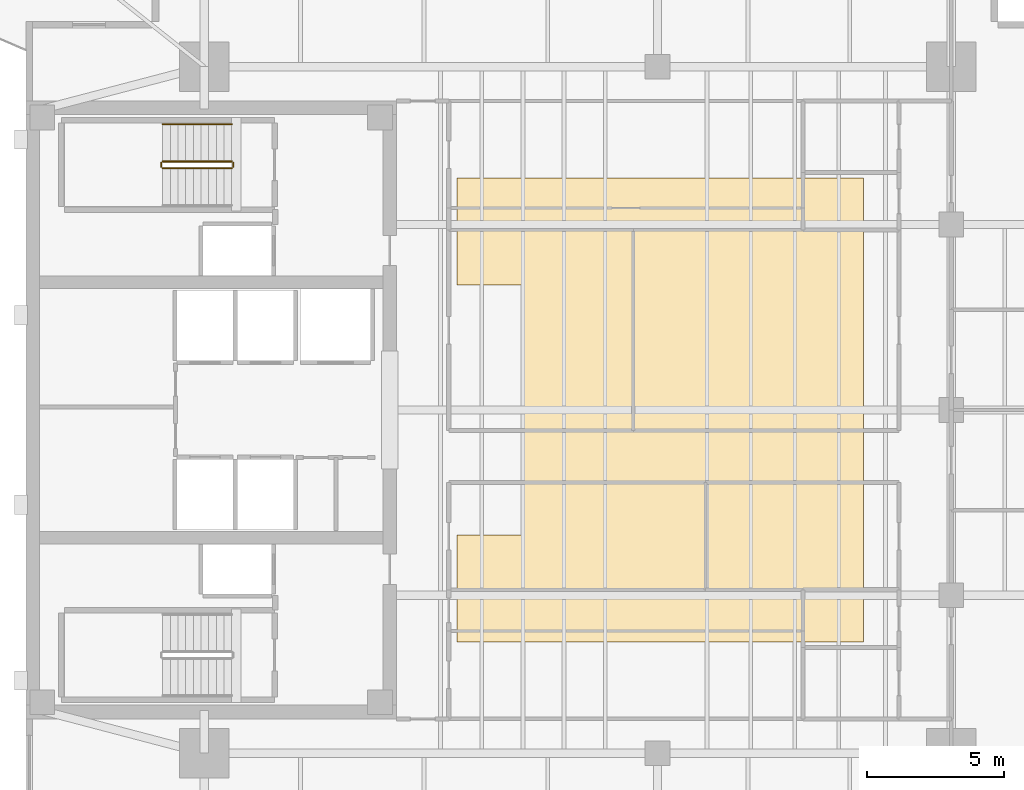
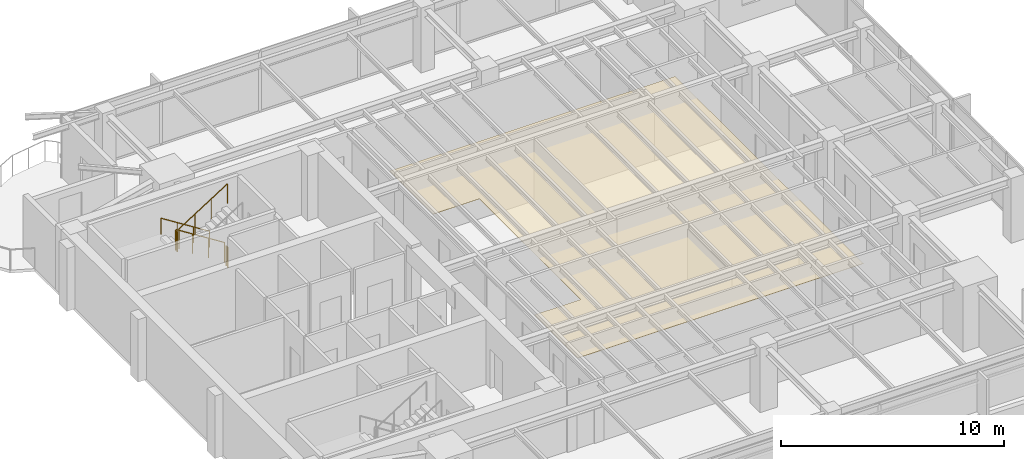
# One storey, part 13 of 14: 5 railings, 1 covering.
"""IFC4 building model written with IfcOpenShell, lengths in metres."""

from ifc_helpers import new_model, si_unit, direction, frame, origin, origin_2d, place, context, subcontext, project, spatial, polyline, circle, outline, extrude, material, layer, layer_set, type_object, element, save


model = new_model("IFC4")

# Units and contexts
model_context = context("Model", 3, precision=1e-05, world=origin(), true_north=direction((0.0, 1.0)))
body_context = subcontext(model_context, "Body", "Model", "MODEL_VIEW")
ifc_project = project(units=[si_unit("LENGTHUNIT", "METRE"), si_unit("AREAUNIT", "SQUARE_METRE"), si_unit("VOLUMEUNIT", "CUBIC_METRE"), si_unit("PLANEANGLEUNIT", "RADIAN"), si_unit("MASSUNIT", "GRAM", prefix="KILO")], contexts=[model_context])

# Site, building, storey
site_placement = place(None, origin())
site = spatial("IfcSite", under=ifc_project, at=site_placement, CompositionType="ELEMENT")
building_placement = place(site_placement, origin())
building = spatial("IfcBuilding", under=site, at=building_placement, Name="Kinhvarn Gate Tower", CompositionType="ELEMENT")
storey_placement = place(building_placement, frame((0.0, 0.0, 249.25)))
storey = spatial("IfcBuildingStorey", under=building, at=storey_placement, Name="L66", CompositionType="ELEMENT", Elevation=249.25)

# Covering
ifc_material_1 = material(Name="Mineral-fibre acoustic ceiling tile")
ifc_layer = layer(ifc_material_1, 0.02001953125)
ifc_layer_set = layer_set([ifc_layer], Name="Mineral-fibre acoustic ceiling tile")
covering_type = type_object("IfcCoveringType", Name="COV-CEIL-20", PredefinedType="CEILING", material=ifc_layer_set)
covering_placement = place(storey_placement, frame((0.0, 0.0, 2.64990234375)))
element("IfcCovering", 1, at=covering_placement, inside=storey, type_object=covering_type, Name="Suspended Acoustic Ceiling Tile (L66-1)", PredefinedType="CEILING", context=body_context, shape_type="SweptSolid", body=[
    extrude(outline(polyline([(35.0, 33.699951171875), (35.0, 16.800048828125), (20.199951171875, 16.800048828125), (20.199951171875, 20.699951171875), (22.60009765625, 20.699951171875), (22.60009765625, 29.800048828125), (20.199951171875, 29.800048828125), (20.199951171875, 33.699951171875), (35.0, 33.699951171875)])), origin(), (0.0, 0.0, 1.0), 0.02001953125),
])

# Railings
ifc_material_2 = material(Name="Steel S355", Category="steel")
railing_type_1 = type_object("IfcRailingType", Name="RL-ST-GRD", PredefinedType="BALUSTRADE", material=ifc_material_2)
railing_1_placement = place(storey_placement, frame((12.0, 34.300048828125, 0.177490234375)))
element("IfcRailing", 2, at=railing_1_placement, inside=storey, type_object=railing_type_1, Name="L66 ST2 stair guard 1", PredefinedType="BALUSTRADE", context=body_context, shape_type="SweptSolid", body=[
    extrude(circle(Radius=0.02392578125, at=origin_2d()), frame((0.0, 0.0, 1.076171875), z_axis=(-0.84460694969, 0.0, 0.535386869969), x_axis=(0.0, -1.0, 0.0)), (0.0, 0.0, 1.0), 2.983642578125),
    extrude(circle(Radius=0.02099609375, at=origin_2d()), origin(), (0.0, 0.0, 1.0), 1.052001953125),
    extrude(circle(Radius=0.02099609375, at=origin_2d()), frame((-0.840087890625, 0.0, 0.532470703125)), (0.0, 0.0, 1.0), 1.052001953125),
    extrude(circle(Radius=0.02099609375, at=origin_2d()), frame((-1.679931640625, 0.0, 1.06494140625)), (0.0, 0.0, 1.0), 1.052001953125),
    extrude(circle(Radius=0.02099609375, at=origin_2d()), frame((-2.52001953125, 0.0, 1.597412109375)), (0.0, 0.0, 1.0), 1.052001953125),
])
railing_2_placement = place(storey_placement, frame((9.429931640625, 34.25, 1.77490234375)))
element("IfcRailing", 3, at=railing_2_placement, inside=storey, type_object=railing_type_1, Name="L66 ST2 stair guard 2", PredefinedType="BALUSTRADE", context=body_context, shape_type="SweptSolid", body=[
    extrude(circle(Radius=0.02392578125, at=origin_2d()), frame((0.0, 0.0, 1.076171875), z_axis=(0.0, -1.0, 0.0), x_axis=(1.0, 0.0, 0.0)), (0.0, 0.0, 1.0), 0.14990234375),
    extrude(circle(Radius=0.02099609375, at=origin_2d()), origin(), (0.0, 0.0, 1.0), 1.052001953125),
    extrude(circle(Radius=0.02099609375, at=origin_2d()), frame((0.0, -0.14990234375, 0.0)), (0.0, 0.0, 1.0), 1.052001953125),
])
railing_3_placement = place(storey_placement, frame((9.47998046875, 34.050048828125, 1.952392578125)))
element("IfcRailing", 4, at=railing_3_placement, inside=storey, type_object=railing_type_1, Name="L66 ST2 stair guard 3", PredefinedType="BALUSTRADE", context=body_context, shape_type="SweptSolid", body=[
    extrude(circle(Radius=0.02392578125, at=origin_2d()), frame((0.0, 0.0, 1.076171875), z_axis=(0.84456994832, 0.0, 0.535445237532), x_axis=(0.0, 1.0, 0.0)), (0.0, 0.0, 1.0), 2.98388671875),
    extrude(circle(Radius=0.02099609375, at=origin_2d()), origin(), (0.0, 0.0, 1.0), 1.052001953125),
    extrude(circle(Radius=0.02099609375, at=origin_2d()), frame((0.840087890625, 0.0, 0.532470703125)), (0.0, 0.0, 1.0), 1.052001953125),
    extrude(circle(Radius=0.02099609375, at=origin_2d()), frame((1.679931640625, 0.0, 1.065185546875)), (0.0, 0.0, 1.0), 1.052001953125),
    extrude(circle(Radius=0.02099609375, at=origin_2d()), frame((2.52001953125, 0.0, 1.59765625)), (0.0, 0.0, 1.0), 1.052001953125),
])
railing_4_placement = place(storey_placement, frame((12.050048828125, 34.25, 0.0)))
element("IfcRailing", 5, at=railing_4_placement, inside=storey, type_object=railing_type_1, Name="L66 ST2 stair guard 4", PredefinedType="BALUSTRADE", context=body_context, shape_type="SweptSolid", body=[
    extrude(circle(Radius=0.02392578125, at=origin_2d()), frame((0.0, 0.0, 1.076171875), z_axis=(0.0, -1.0, 0.0), x_axis=(1.0, 0.0, 0.0)), (0.0, 0.0, 1.0), 0.14990234375),
    extrude(circle(Radius=0.02099609375, at=origin_2d()), origin(), (0.0, 0.0, 1.0), 1.052001953125),
    extrude(circle(Radius=0.02099609375, at=origin_2d()), frame((0.0, -0.14990234375, 0.0)), (0.0, 0.0, 1.0), 1.052001953125),
])
railing_type_2 = type_object("IfcRailingType", Name="RL-ST-HND", PredefinedType="HANDRAIL", material=ifc_material_2)
railing_5_placement = place(storey_placement, frame((12.0, 35.64990234375, 0.177490234375)))
element("IfcRailing", 6, at=railing_5_placement, inside=storey, type_object=railing_type_2, Name="L66 ST2 stair handrail 1", PredefinedType="HANDRAIL", context=body_context, shape_type="SweptSolid", body=[
    extrude(circle(Radius=0.02392578125, at=origin_2d()), frame((0.0, 0.0, 0.8759765625), z_axis=(-0.84460694969, 0.0, 0.535386869969), x_axis=(0.0, -1.0, 0.0)), (0.0, 0.0, 1.0), 2.983642578125),
    extrude(circle(Radius=0.02099609375, at=origin_2d()), origin(), (0.0, 0.0, 1.0), 0.851806640625),
    extrude(circle(Radius=0.02099609375, at=origin_2d()), frame((-0.840087890625, 0.0, 0.532470703125)), (0.0, 0.0, 1.0), 0.851806640625),
    extrude(circle(Radius=0.02099609375, at=origin_2d()), frame((-1.679931640625, 0.0, 1.06494140625)), (0.0, 0.0, 1.0), 0.851806640625),
    extrude(circle(Radius=0.02099609375, at=origin_2d()), frame((-2.52001953125, 0.0, 1.597412109375)), (0.0, 0.0, 1.0), 0.851806640625),
])

save(model, "model.ifc")
